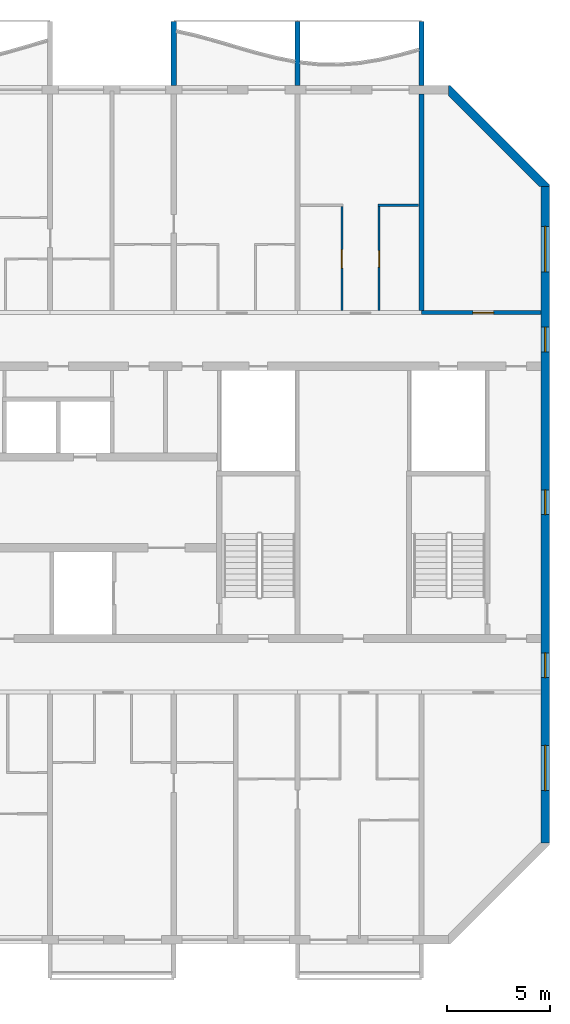
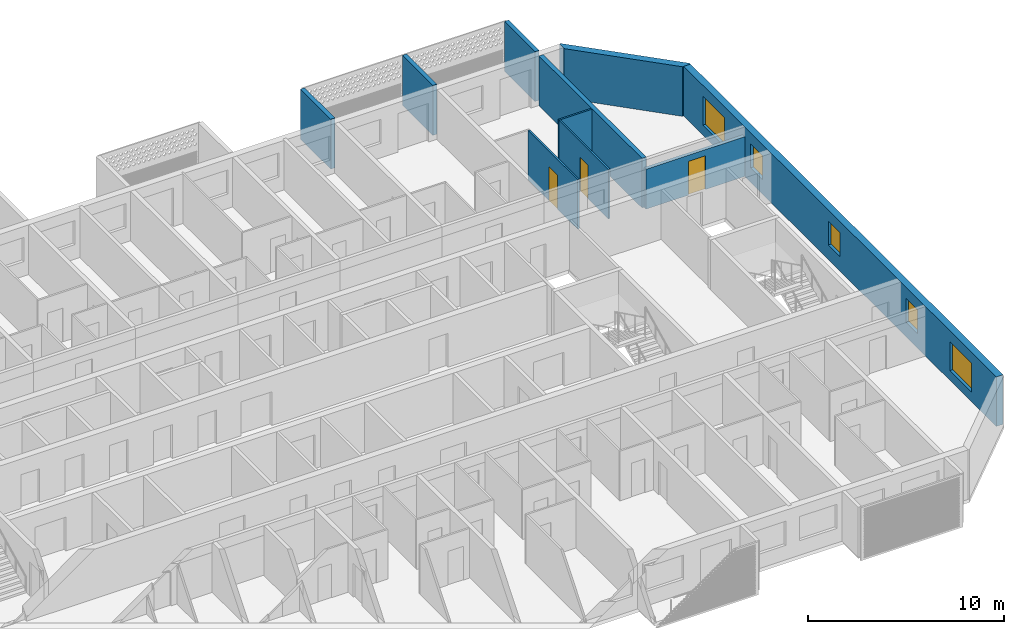
# One storey, part 11 of 27: 10 walls, 5 windows, 3 doors, 8 openings.
"""IFC4 building model written with IfcOpenShell, lengths in metres."""

from ifc_helpers import new_model, si_unit, direction, frame, frame_2d, origin, place, context, subcontext, project, spatial, polyline, rectangle, outline, extrude, source, transform, mapped, material, layer, layer_set, type_object, element, fill, save


model = new_model("IFC4")

# Units and contexts
model_context = context("Model", 3, precision=1e-05, world=origin(), true_north=direction((0.0, 1.0)))
body_context = subcontext(model_context, "Body", "Model", "MODEL_VIEW")
ifc_project = project(units=[si_unit("LENGTHUNIT", "METRE"), si_unit("AREAUNIT", "SQUARE_METRE"), si_unit("VOLUMEUNIT", "CUBIC_METRE"), si_unit("PLANEANGLEUNIT", "RADIAN"), si_unit("MASSUNIT", "GRAM", prefix="KILO")], contexts=[model_context])

# Site, building, storey
site_placement = place(None, origin())
site = spatial("IfcSite", under=ifc_project, at=site_placement, CompositionType="ELEMENT")
building_placement = place(site_placement, origin())
building = spatial("IfcBuilding", under=site, at=building_placement, Name="Poui Terraces", CompositionType="ELEMENT")
storey_placement = place(building_placement, frame((0.0, 0.0, 195.0)))
storey = spatial("IfcBuildingStorey", under=building, at=storey_placement, Name="L54", CompositionType="ELEMENT", Elevation=195.0)

# Wall, opening, door
ifc_material_1 = material(Name="Concrete 50 MPa", Category="concrete")
ifc_layer_1 = layer(ifc_material_1, 0.199951171875)
ifc_layer_set_1 = layer_set([ifc_layer_1], Name="Concrete 50 MPa")
wall_type_1 = type_object("IfcWallType", Name="CORRIDOR WALL 200 50MPa", PredefinedType="SHEAR", material=ifc_layer_set_1)
wall_1_placement = place(storey_placement, frame((78.0, 30.39990234375, 0.0), z_axis=(0.0, 0.0, 1.0), x_axis=(1.0, 0.0, 0.0)))
wall_1 = element("IfcWall", 1, at=wall_1_placement, inside=storey, type_object=wall_type_1, Name="CORRIDOR WALL LINE E BAY 11", PredefinedType="SHEAR", context=body_context, shape_type="SweptSolid", body=[
    extrude(rectangle(XDim=5.800048828125, YDim=0.199951171875, at=frame_2d((2.89990234375, 0.0))), origin(), (0.0, 0.0, 1.0), 2.47998046875),
])
opening_1_placement = place(wall_1_placement, frame((2.5, 0.0, 0.0)))
opening_1 = element("IfcOpeningElement", 2, at=opening_1_placement, cuts=wall_1, Name="Opening D100", PredefinedType="OPENING", context=body_context, shape_type="SweptSolid", body=[
    extrude(rectangle(XDim=1.0, YDim=2.10009765625, at=frame_2d((0.5, 1.050048828125))), frame((0.0, 0.10986328125, 0.0), z_axis=(0.0, -1.0, 0.0), x_axis=(1.0, 0.0, 0.0)), (0.0, 0.0, 1.0), 0.219970703125),
])
ifc_material_2 = material(Name="Solid core timber door", Category="wood")
door_type_1 = type_object("IfcDoorType", Name="ACCESSIBLE INTERNAL DOOR 1000 X 2100", OperationType="NOTDEFINED", PredefinedType="DOOR", material=ifc_material_2)
door_1_placement = place(opening_1_placement, origin())
door_1 = element("IfcDoor", 3, at=door_1_placement, inside=storey, type_object=door_type_1, Name="ACCESSIBLE INTERNAL DOOR 062", OperationType="SINGLE_SWING_LEFT", OverallHeight=2.10009765625, OverallWidth=1.0, PredefinedType="DOOR", context=body_context, shape_type="SweptSolid", body=[
    extrude(rectangle(XDim=1.0, YDim=2.10009765625, at=frame_2d((0.5, 1.050048828125))), frame((0.0, 0.02490234375, 0.0), z_axis=(0.0, -1.0, 0.0), x_axis=(1.0, 0.0, 0.0)), (0.0, 0.0, 1.0), 0.050048828125),
])
fill(opening_1, door_1)

# Wall
ifc_layer_2 = layer(ifc_material_1, 0.25)
ifc_layer_set_2 = layer_set([ifc_layer_2], Name="Concrete 50 MPa")
wall_type_2 = type_object("IfcWallType", Name="CROSS WALL 250 50MPa", PredefinedType="SHEAR", material=ifc_layer_set_2)
wall_2_placement = place(storey_placement, frame((78.0, 30.5, 0.0), z_axis=(0.0, 0.0, 1.0), x_axis=(0.0, 1.0, 0.0)))
element("IfcWall", 4, at=wall_2_placement, inside=storey, type_object=wall_type_2, Name="CROSS WALL LINE 14 NORTH", PredefinedType="SHEAR", context=body_context, shape_type="SweptSolid", body=[
    extrude(rectangle(XDim=10.5, YDim=0.25, at=frame_2d((5.25, 0.0))), origin(), (0.0, 0.0, 1.0), 3.080078125),
])

# Wall, openings, windows
ifc_layer_3 = layer(ifc_material_1, 0.39990234375)
ifc_layer_set_3 = layer_set([ifc_layer_3], Name="Concrete 50 MPa")
wall_type_3 = type_object("IfcWallType", Name="END WALL 400 50MPa", PredefinedType="SHEAR", material=ifc_layer_set_3)
wall_3_placement = place(storey_placement, frame((84.0, 4.682861328125, 0.0), z_axis=(0.0, 0.0, 1.0), x_axis=(0.0, 1.0, 0.0)))
wall_3 = element("IfcWall", 5, at=wall_3_placement, inside=storey, type_object=wall_type_3, Name="END WALL EAST", PredefinedType="SHEAR", context=body_context, shape_type="SweptSolid", body=[
    extrude(rectangle(XDim=31.834228515625, YDim=0.39990234375, at=frame_2d((15.9169921875, 0.0))), origin(), (0.0, 0.0, 1.0), 3.080078125),
])
opening_2_placement = place(wall_3_placement, frame((23.817138671875, 0.0, 0.89990234375)))
opening_2 = element("IfcOpeningElement", 6, at=opening_2_placement, cuts=wall_3, Name="Opening W2", PredefinedType="OPENING", context=body_context, shape_type="SweptSolid", body=[
    extrude(rectangle(XDim=1.199951171875, YDim=1.5, at=frame_2d((0.60009765625, 0.75))), frame((0.0, 0.2099609375, 0.0), z_axis=(0.0, -1.0, 0.0), x_axis=(1.0, 0.0, 0.0)), (0.0, 0.0, 1.0), 0.419921875),
])
opening_3_placement = place(wall_3_placement, frame((8.01708984375, 0.0, 0.89990234375)))
opening_3 = element("IfcOpeningElement", 7, at=opening_3_placement, cuts=wall_3, Name="Opening W2", PredefinedType="OPENING", context=body_context, shape_type="SweptSolid", body=[
    extrude(rectangle(XDim=1.199951171875, YDim=1.5, at=frame_2d((0.60009765625, 0.75))), frame((0.0, 0.2099609375, 0.0), z_axis=(0.0, -1.0, 0.0), x_axis=(1.0, 0.0, 0.0)), (0.0, 0.0, 1.0), 0.419921875),
])
opening_4_placement = place(wall_3_placement, frame((27.693603515625, 0.0, 0.60009765625)))
opening_4 = element("IfcOpeningElement", 8, at=opening_4_placement, cuts=wall_3, Name="Opening W3", PredefinedType="OPENING", context=body_context, shape_type="SweptSolid", body=[
    extrude(rectangle(XDim=2.199951171875, YDim=1.800048828125, at=frame_2d((1.10009765625, 0.89990234375))), frame((0.0, 0.2099609375, 0.0), z_axis=(0.0, -1.0, 0.0), x_axis=(1.0, 0.0, 0.0)), (0.0, 0.0, 1.0), 0.419921875),
])
opening_5_placement = place(wall_3_placement, frame((2.541015625, 0.0, 0.60009765625)))
opening_5 = element("IfcOpeningElement", 9, at=opening_5_placement, cuts=wall_3, Name="Opening W3", PredefinedType="OPENING", context=body_context, shape_type="SweptSolid", body=[
    extrude(rectangle(XDim=2.199951171875, YDim=1.800048828125, at=frame_2d((1.10009765625, 0.89990234375))), frame((0.0, 0.2099609375, 0.0), z_axis=(0.0, -1.0, 0.0), x_axis=(1.0, 0.0, 0.0)), (0.0, 0.0, 1.0), 0.419921875),
])
opening_6_placement = place(wall_3_placement, frame((15.917236328125, 0.0, 0.89990234375)))
opening_6 = element("IfcOpeningElement", 10, at=opening_6_placement, cuts=wall_3, Name="Opening W2", PredefinedType="OPENING", context=body_context, shape_type="SweptSolid", body=[
    extrude(rectangle(XDim=1.199951171875, YDim=1.5, at=frame_2d((0.60009765625, 0.75))), frame((0.0, 0.2099609375, 0.0), z_axis=(0.0, -1.0, 0.0), x_axis=(1.0, 0.0, 0.0)), (0.0, 0.0, 1.0), 0.419921875),
])
ifc_material_3 = material(Name="Clear glass in aluminium frame", Category="aluminium")
window_type_1 = type_object("IfcWindowType", Name="WINDOW 1200X1500", PartitioningType="SINGLE_PANEL", PredefinedType="WINDOW", material=ifc_material_3)
window_1_placement = place(opening_2_placement, origin())
window_1 = element("IfcWindow", 11, at=window_1_placement, inside=storey, type_object=window_type_1, Name="W2 WINDOW", OverallHeight=1.5, OverallWidth=1.199951171875, PartitioningType="SINGLE_PANEL", PredefinedType="WINDOW", context=body_context, shape_type="SweptSolid", body=[
    extrude(rectangle(XDim=1.199951171875, YDim=1.5, at=frame_2d((0.60009765625, 0.75))), frame((0.0, 0.030029296875, 0.0), z_axis=(0.0, -1.0, 0.0), x_axis=(1.0, 0.0, 0.0)), (0.0, 0.0, 1.0), 0.06005859375),
])
fill(opening_2, window_1)
window_2_placement = place(opening_3_placement, origin())
window_2 = element("IfcWindow", 12, at=window_2_placement, inside=storey, type_object=window_type_1, Name="W2 WINDOW", OverallHeight=1.5, OverallWidth=1.199951171875, PartitioningType="SINGLE_PANEL", PredefinedType="WINDOW", context=body_context, shape_type="SweptSolid", body=[
    extrude(rectangle(XDim=1.199951171875, YDim=1.5, at=frame_2d((0.60009765625, 0.75))), frame((0.0, 0.030029296875, 0.0), z_axis=(0.0, -1.0, 0.0), x_axis=(1.0, 0.0, 0.0)), (0.0, 0.0, 1.0), 0.06005859375),
])
fill(opening_3, window_2)
window_3_placement = place(opening_6_placement, origin())
window_3 = element("IfcWindow", 13, at=window_3_placement, inside=storey, type_object=window_type_1, Name="W2 WINDOW", OverallHeight=1.5, OverallWidth=1.199951171875, PartitioningType="SINGLE_PANEL", PredefinedType="WINDOW", context=body_context, shape_type="SweptSolid", body=[
    extrude(rectangle(XDim=1.199951171875, YDim=1.5, at=frame_2d((0.60009765625, 0.75))), frame((0.0, 0.030029296875, 0.0), z_axis=(0.0, -1.0, 0.0), x_axis=(1.0, 0.0, 0.0)), (0.0, 0.0, 1.0), 0.06005859375),
])
fill(opening_6, window_3)
window_type_2 = type_object("IfcWindowType", Name="WINDOW 2200X1800", PartitioningType="DOUBLE_PANEL_HORIZONTAL", PredefinedType="WINDOW", material=ifc_material_3)
window_4_placement = place(opening_4_placement, origin())
window_4 = element("IfcWindow", 14, at=window_4_placement, inside=storey, type_object=window_type_2, Name="W3 WINDOW", OverallHeight=1.800048828125, OverallWidth=2.199951171875, PartitioningType="DOUBLE_PANEL_HORIZONTAL", PredefinedType="WINDOW", context=body_context, shape_type="SweptSolid", body=[
    extrude(rectangle(XDim=2.199951171875, YDim=1.800048828125, at=frame_2d((1.10009765625, 0.89990234375))), frame((0.0, 0.030029296875, 0.0), z_axis=(0.0, -1.0, 0.0), x_axis=(1.0, 0.0, 0.0)), (0.0, 0.0, 1.0), 0.06005859375),
])
fill(opening_4, window_4)
window_5_placement = place(opening_5_placement, origin())
window_5 = element("IfcWindow", 15, at=window_5_placement, inside=storey, type_object=window_type_2, Name="W3 WINDOW", OverallHeight=1.800048828125, OverallWidth=2.199951171875, PartitioningType="DOUBLE_PANEL_HORIZONTAL", PredefinedType="WINDOW", context=body_context, shape_type="SweptSolid", body=[
    extrude(rectangle(XDim=2.199951171875, YDim=1.800048828125, at=frame_2d((1.10009765625, 0.89990234375))), frame((0.0, 0.030029296875, 0.0), z_axis=(0.0, -1.0, 0.0), x_axis=(1.0, 0.0, 0.0)), (0.0, 0.0, 1.0), 0.06005859375),
])
fill(opening_5, window_5)

# Wall
ifc_material_4 = material(Name="Plasterboard partition")
ifc_layer_4 = layer(ifc_material_4, 0.10009765625)
ifc_layer_set_4 = layer_set([ifc_layer_4], Name="Plasterboard partition")
wall_type_4 = type_object("IfcWallType", Name="FLAT PARTITION 100", PredefinedType="PARTITIONING", material=ifc_layer_set_4)
wall_4_placement = place(storey_placement, frame((75.89990234375, 35.60009765625, 0.0), z_axis=(0.0, 0.0, 1.0), x_axis=(1.0, 0.0, 0.0)))
element("IfcWall", 16, at=wall_4_placement, inside=storey, type_object=wall_type_4, Name="FLAT PARTITION 100", PredefinedType="PARTITIONING", context=body_context, shape_type="SweptSolid", body=[
    extrude(rectangle(XDim=1.965087890625, YDim=0.10009765625, at=frame_2d((0.982421875, 0.0))), origin(), (0.0, 0.0, 1.0), 3.080078125),
])

# Wall, opening, door
wall_5_placement = place(storey_placement, frame((74.14990234375, 30.510009765625, 0.0), z_axis=(0.0, 0.0, 1.0), x_axis=(0.0, 1.0, 0.0)))
wall_5 = element("IfcWall", 17, at=wall_5_placement, inside=storey, type_object=wall_type_4, Name="FLAT PARTITION 100", PredefinedType="PARTITIONING", context=body_context, shape_type="SweptSolid", body=[
    extrude(rectangle(XDim=5.0400390625, YDim=0.10009765625, at=frame_2d((2.52001953125, 0.0))), origin(), (0.0, 0.0, 1.0), 3.080078125),
])
opening_7_placement = place(wall_5_placement, frame((2.0400390625, 0.0, 0.0)))
opening_7 = element("IfcOpeningElement", 18, at=opening_7_placement, cuts=wall_5, Name="Opening D90", PredefinedType="OPENING", context=body_context, shape_type="SweptSolid", body=[
    extrude(rectangle(XDim=0.89990234375, YDim=2.10009765625, at=frame_2d((0.449951171875, 1.050048828125))), frame((0.0, 0.06005859375, 0.0), z_axis=(0.0, -1.0, 0.0), x_axis=(1.0, 0.0, 0.0)), (0.0, 0.0, 1.0), 0.1201171875),
])
door_type_2 = type_object("IfcDoorType", Name="INTERNAL DOOR 900 X 2100", OperationType="NOTDEFINED", PredefinedType="DOOR", material=ifc_material_2)
door_2_placement = place(opening_7_placement, origin())
door_2 = element("IfcDoor", 19, at=door_2_placement, inside=storey, type_object=door_type_2, Name="INTERNAL DOOR 059", OperationType="SINGLE_SWING_RIGHT", OverallHeight=2.10009765625, OverallWidth=0.89990234375, PredefinedType="DOOR", context=body_context, shape_type="SweptSolid", body=[
    extrude(rectangle(XDim=0.89990234375, YDim=2.10009765625, at=frame_2d((0.449951171875, 1.050048828125))), frame((0.0, 0.02490234375, 0.0), z_axis=(0.0, -1.0, 0.0), x_axis=(1.0, 0.0, 0.0)), (0.0, 0.0, 1.0), 0.050048828125),
])
fill(opening_7, door_2)

wall_6_placement = place(storey_placement, frame((75.949951171875, 30.510009765625, 0.0), z_axis=(0.0, 0.0, 1.0), x_axis=(0.0, 1.0, 0.0)))
wall_6 = element("IfcWall", 20, at=wall_6_placement, inside=storey, type_object=wall_type_4, Name="FLAT PARTITION 100", PredefinedType="PARTITIONING", context=body_context, shape_type="SweptSolid", body=[
    extrude(rectangle(XDim=5.0400390625, YDim=0.10009765625, at=frame_2d((2.52001953125, 0.0))), origin(), (0.0, 0.0, 1.0), 3.080078125),
])
opening_8_placement = place(wall_6_placement, frame((2.090087890625, 0.0, 0.0)))
opening_8 = element("IfcOpeningElement", 21, at=opening_8_placement, cuts=wall_6, Name="Opening D80", PredefinedType="OPENING", context=body_context, shape_type="SweptSolid", body=[
    extrude(rectangle(XDim=0.800048828125, YDim=2.10009765625, at=frame_2d((0.39990234375, 1.050048828125))), frame((0.0, 0.06005859375, 0.0), z_axis=(0.0, -1.0, 0.0), x_axis=(1.0, 0.0, 0.0)), (0.0, 0.0, 1.0), 0.1201171875),
])
door_type_3 = type_object("IfcDoorType", Name="BATHROOM, LAUNDRY AND STORE DOOR 800 X 2100", OperationType="NOTDEFINED", PredefinedType="DOOR", material=ifc_material_2)
door_3_placement = place(opening_8_placement, frame((0.800048828125, 0.0, 0.0), z_axis=(0.0, 0.0, 1.0), x_axis=(-1.0, 0.0, 0.0)))
door_3 = element("IfcDoor", 22, at=door_3_placement, inside=storey, type_object=door_type_3, Name="BATHROOM, LAUNDRY AND STORE DOOR 061", OperationType="SINGLE_SWING_RIGHT", OverallHeight=2.10009765625, OverallWidth=0.800048828125, PredefinedType="DOOR", context=body_context, shape_type="SweptSolid", body=[
    extrude(rectangle(XDim=0.800048828125, YDim=2.10009765625, at=frame_2d((0.39990234375, 1.050048828125))), frame((0.0, 0.02490234375, 0.0), z_axis=(0.0, -1.0, 0.0), x_axis=(1.0, 0.0, 0.0)), (0.0, 0.0, 1.0), 0.050048828125),
])
fill(opening_8, door_3)

# Walls
ifc_material_5 = material(Name="Precast concrete 40 MPa", Category="concrete")
ifc_layer_5 = layer(ifc_material_5, 0.39990234375)
ifc_layer_set_5 = layer_set([ifc_layer_5], Name="Precast concrete 40 MPa")
wall_type_5 = type_object("IfcWallType", Name="TERRACOTTA CLAD CHAMFER WALL 400", PredefinedType="STANDARD", material=ifc_layer_set_5)
wall_7_placement = place(storey_placement, origin())
element("IfcWall", 23, at=wall_7_placement, inside=storey, type_object=wall_type_5, Name="CHAMFER WALL CH03", PredefinedType="STANDARD", context=body_context, shape_type="SweptSolid", body=[
    extrude(outline(polyline([(84.199951171875, 36.51708984375), (84.199951171875, 36.60009765625), (79.39990234375, 41.39990234375), (79.317138671875, 41.39990234375), (79.317138671875, 40.917236328125), (83.71728515625, 36.51708984375), (84.199951171875, 36.51708984375)])), origin(), (0.0, 0.0, 1.0), 3.080078125),
])
ifc_layer_6 = layer(ifc_material_5, 0.25)
ifc_layer_set_6 = layer_set([ifc_layer_6], Name="Precast concrete 40 MPa")
wall_type_6 = type_object("IfcWallType", Name="BALCONY FIN 250", PredefinedType="STANDARD", material=ifc_layer_set_6)
shared_shape = source(origin(), body_context, "Body", "SweptSolid", [
    extrude(outline(polyline([(0.0, 0.0), (0.25, 0.0), (0.25, 3.10009765625), (0.0, 3.10009765625), (0.0, 0.0)])), origin(), (0.0, 0.0, 1.0), 3.10009765625),
])
for number, where, name in (
    (24, (65.875, 41.39990234375, 0.0), "BALCONY FIN"),
    (25, (71.875, 41.39990234375, 0.0), "BALCONY FIN"),
    (26, (77.875, 41.39990234375, 0.0), "BALCONY FIN"),
):
    element("IfcWall", number, at=place(storey_placement, frame(where)), inside=storey, type_object=wall_type_6, Name=name, PredefinedType="STANDARD", context=body_context, shape_type="MappedRepresentation", body=[
        mapped(shared_shape, transform((0.0, 0.0, 0.0))),
    ])

save(model, "model.ifc")
